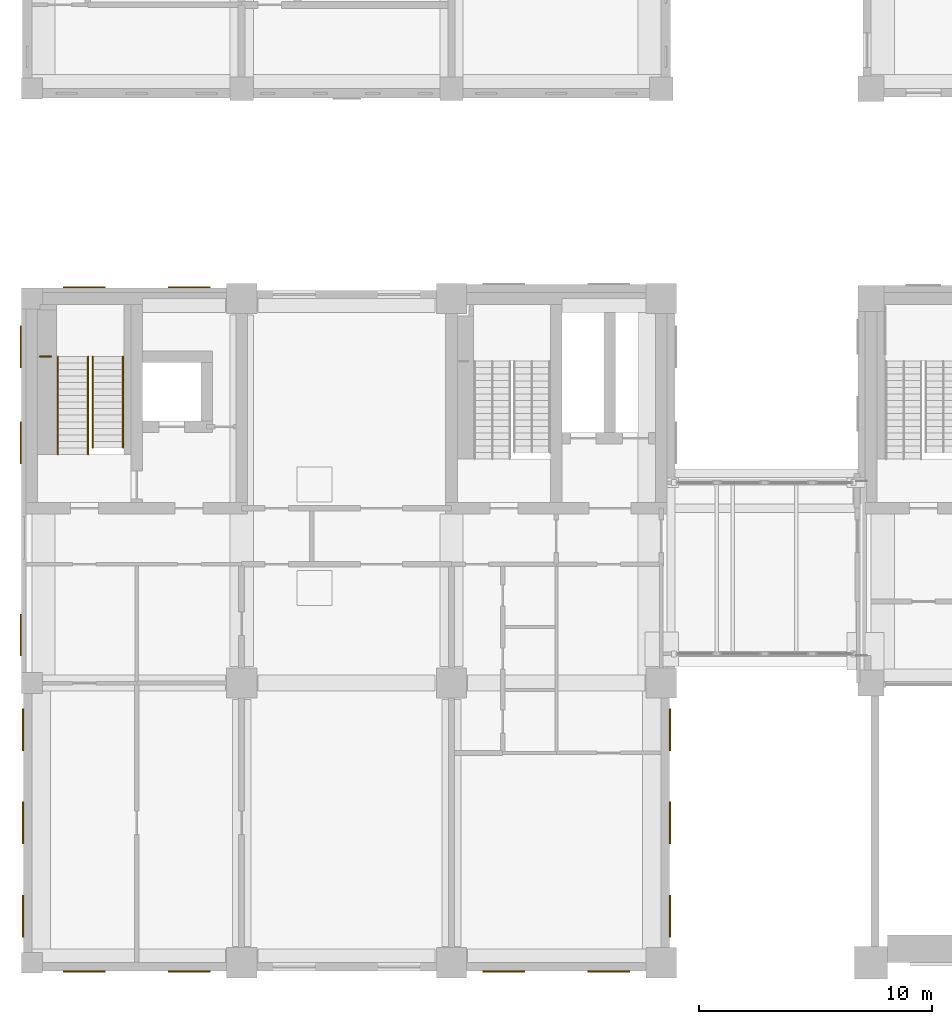
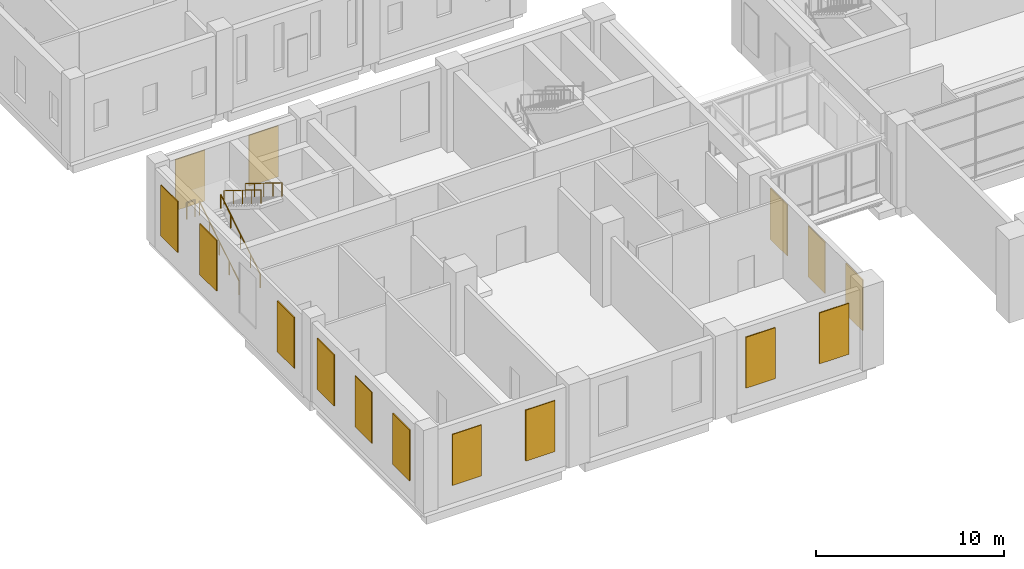
# One storey, part 42 of 52: 15 coverings, 5 railings.
"""IFC4 building model written with IfcOpenShell, lengths in metres."""

from ifc_helpers import new_model, si_unit, direction, frame, origin, origin_2d, place, context, subcontext, project, spatial, rectangle, circle, extrude, material, layer, layer_set, type_object, element, save


model = new_model("IFC4")

# Units and contexts
model_context = context("Model", 3, precision=1e-05, world=origin(), true_north=direction((0.0, 1.0)))
body_context = subcontext(model_context, "Body", "Model", "MODEL_VIEW")
ifc_project = project(units=[si_unit("LENGTHUNIT", "METRE"), si_unit("AREAUNIT", "SQUARE_METRE"), si_unit("VOLUMEUNIT", "CUBIC_METRE"), si_unit("PLANEANGLEUNIT", "RADIAN"), si_unit("MASSUNIT", "GRAM", prefix="KILO")], contexts=[model_context])

# Site, building, storey
site_placement = place(None, origin())
site = spatial("IfcSite", under=ifc_project, at=site_placement, CompositionType="ELEMENT")
building_placement = place(site_placement, origin())
building = spatial("IfcBuilding", under=site, at=building_placement, Name="Aurelan Courthouse", CompositionType="ELEMENT")
storey_placement = place(building_placement, frame((0.0, 0.0, 6.60009765625)))
storey = spatial("IfcBuildingStorey", under=building, at=storey_placement, Name="L01", CompositionType="ELEMENT", Elevation=6.60009765625)

# Coverings
ifc_material_1 = material(Name="Bronze sheet cladding")
ifc_layer = layer(ifc_material_1, 0.06005859375)
ifc_layer_set = layer_set([ifc_layer], Name="Bronze sheet cladding")
covering_type = type_object("IfcCoveringType", Name="Courts' Floors blind bay 1800 x 3300", PredefinedType="CLADDING", material=ifc_layer_set)
for number, where, z_axis, x_axis, name in (
    (1, (2.25, -0.3798828125, 1.19970703125), (0.0, 0.0, 1.0), (1.0, 0.0, 0.0), "Blind bay BB-V5-L01-001"),
    (2, (6.75, -0.3798828125, 1.19970703125), (0.0, 0.0, 1.0), (1.0, 0.0, 0.0), "Blind bay BB-V5-L01-002"),
    (3, (20.25, -0.3798828125, 1.19970703125), (0.0, 0.0, 1.0), (1.0, 0.0, 0.0), "Blind bay BB-V5-L01-003"),
    (4, (24.75, -0.3798828125, 1.19970703125), (0.0, 0.0, 1.0), (1.0, 0.0, 0.0), "Blind bay BB-V5-L01-004"),
    (5, (2.25, 28.97998046875, 1.19970703125), (0.0, 0.0, 1.0), (1.0, 0.0, 0.0), "Blind bay BB-V5-L01-005"),
    (6, (6.75, 28.97998046875, 1.19970703125), (0.0, 0.0, 1.0), (1.0, 0.0, 0.0), "Blind bay BB-V5-L01-006"),
):
    element("IfcCovering", number, at=place(storey_placement, frame(where, z_axis=z_axis, x_axis=x_axis)), inside=storey, type_object=covering_type, Name=name, PredefinedType="CLADDING", context=body_context, shape_type="SweptSolid", body=[
        extrude(rectangle(XDim=1.800048828125, YDim=0.06005859375, at=origin_2d()), origin(), (0.0, 0.0, 1.0), 3.300048828125),
    ])
for number, where, z_axis, x_axis, name in (
    (7, (27.3798828125, 2.0, 1.19970703125), (0.0, 0.0, 1.0), (1.0, 0.0, 0.0), "Blind bay BB-V5-L01-009"),
    (8, (27.3798828125, 6.0, 1.19970703125), (0.0, 0.0, 1.0), (1.0, 0.0, 0.0), "Blind bay BB-V5-L01-010"),
    (9, (27.3798828125, 10.0, 1.19970703125), (0.0, 0.0, 1.0), (1.0, 0.0, 0.0), "Blind bay BB-V5-L01-011"),
    (10, (-0.3798828125, 2.0, 1.19970703125), (0.0, 0.0, 1.0), (1.0, 0.0, 0.0), "Blind bay BB-V5-L01-014"),
    (11, (-0.3798828125, 6.0, 1.19970703125), (0.0, 0.0, 1.0), (1.0, 0.0, 0.0), "Blind bay BB-V5-L01-015"),
    (12, (-0.3798828125, 10.0, 1.19970703125), (0.0, 0.0, 1.0), (1.0, 0.0, 0.0), "Blind bay BB-V5-L01-016"),
    (13, (-0.47998046875, 14.0625, 1.19970703125), (0.0, 0.0, 1.0), (1.0, 0.0, 0.0), "Blind bay BB-V5-L01-017"),
    (14, (-0.47998046875, 22.3125, 1.19970703125), (0.0, 0.0, 1.0), (1.0, 0.0, 0.0), "Blind bay BB-V5-L01-018"),
    (15, (-0.47998046875, 26.4375, 1.19970703125), (0.0, 0.0, 1.0), (1.0, 0.0, 0.0), "Blind bay BB-V5-L01-019"),
):
    element("IfcCovering", number, at=place(storey_placement, frame(where, z_axis=z_axis, x_axis=x_axis)), inside=storey, type_object=covering_type, Name=name, PredefinedType="CLADDING", context=body_context, shape_type="SweptSolid", body=[
        extrude(rectangle(XDim=0.06005859375, YDim=1.800048828125, at=origin_2d()), origin(), (0.0, 0.0, 1.0), 3.300048828125),
    ])

# Railings
ifc_material_2 = material(Name="Steel S355", Category="steel")
railing_type_1 = type_object("IfcRailingType", Name="Stair guard 1100", PredefinedType="GUARDRAIL", material=ifc_material_2)
railing_placement = place(storey_placement, frame((0.830078125, 26.010009765625, 2.787109375)))
element("IfcRailing", 16, at=railing_placement, inside=storey, type_object=railing_type_1, Name="Guard ST-5B-L01-GL1", PredefinedType="GUARDRAIL", context=body_context, shape_type="SweptSolid", body=[
    extrude(circle(Radius=0.02392578125, at=origin_2d()), frame((0.0, 0.0, 1.076171875), z_axis=(-1.0, 0.0, 0.0), x_axis=(0.0, -1.0, 0.0)), (0.0, 0.0, 1.0), 0.5),
    extrude(circle(Radius=0.02099609375, at=origin_2d()), origin(), (0.0, 0.0, 1.0), 1.052001953125),
    extrude(circle(Radius=0.02099609375, at=origin_2d()), frame((-0.5, 0.0, 0.0)), (0.0, 0.0, 1.0), 1.052001953125),
])
railing_type_2 = type_object("IfcRailingType", Name="Stair handrail 900", PredefinedType="HANDRAIL", material=ifc_material_2)
for number, where, name in (
    (17, (1.110107421875, 21.81005859375, 0.174072265625), "Handrail ST-5B-L01-H1"),
    (18, (2.409912109375, 21.81005859375, 0.174072265625), "Handrail ST-5B-L01-H2"),
):
    element("IfcRailing", number, at=place(storey_placement, frame(where)), inside=storey, type_object=railing_type_2, Name=name, PredefinedType="HANDRAIL", context=body_context, shape_type="SweptSolid", body=[
        extrude(circle(Radius=0.02392578125, at=origin_2d()), frame((0.0, 0.0, 0.8759765625), z_axis=(0.0, 0.849080710111, 0.528263142494), x_axis=(-1.0, 0.0, 0.0)), (0.0, 0.0, 1.0), 4.946533203125),
        extrude(circle(Radius=0.02099609375, at=origin_2d()), origin(), (0.0, 0.0, 1.0), 0.851806640625),
        extrude(circle(Radius=0.02099609375, at=origin_2d()), frame((0.0, 1.050048828125, 0.6533203125)), (0.0, 0.0, 1.0), 0.851806640625),
        extrude(circle(Radius=0.02099609375, at=origin_2d()), frame((0.0, 2.10009765625, 1.306640625)), (0.0, 0.0, 1.0), 0.851806640625),
        extrude(circle(Radius=0.02099609375, at=origin_2d()), frame((0.0, 3.14990234375, 1.959716796875)), (0.0, 0.0, 1.0), 0.851806640625),
        extrude(circle(Radius=0.02099609375, at=origin_2d()), frame((0.0, 4.199951171875, 2.613037109375)), (0.0, 0.0, 1.0), 0.851806640625),
    ])
for number, where, name in (
    (19, (2.610107421875, 26.010009765625, 2.961181640625), "Handrail ST-5B-L01-H3"),
    (20, (3.909912109375, 26.010009765625, 2.961181640625), "Handrail ST-5B-L01-H4"),
):
    element("IfcRailing", number, at=place(storey_placement, frame(where)), inside=storey, type_object=railing_type_2, Name=name, PredefinedType="HANDRAIL", context=body_context, shape_type="SweptSolid", body=[
        extrude(circle(Radius=0.02392578125, at=origin_2d()), frame((0.0, 0.0, 0.8759765625), z_axis=(0.0, -0.849089811655, 0.528248513243), x_axis=(1.0, 0.0, 0.0)), (0.0, 0.0, 1.0), 4.61669921875),
        extrude(circle(Radius=0.02099609375, at=origin_2d()), origin(), (0.0, 0.0, 1.0), 0.851806640625),
        extrude(circle(Radius=0.02099609375, at=origin_2d()), frame((0.0, -0.97998046875, 0.609619140625)), (0.0, 0.0, 1.0), 0.851806640625),
        extrude(circle(Radius=0.02099609375, at=origin_2d()), frame((0.0, -1.9599609375, 1.21923828125)), (0.0, 0.0, 1.0), 0.851806640625),
        extrude(circle(Radius=0.02099609375, at=origin_2d()), frame((0.0, -2.93994140625, 1.8291015625)), (0.0, 0.0, 1.0), 0.851806640625),
        extrude(circle(Radius=0.02099609375, at=origin_2d()), frame((0.0, -3.919921875, 2.438720703125)), (0.0, 0.0, 1.0), 0.851806640625),
    ])

save(model, "model.ifc")
